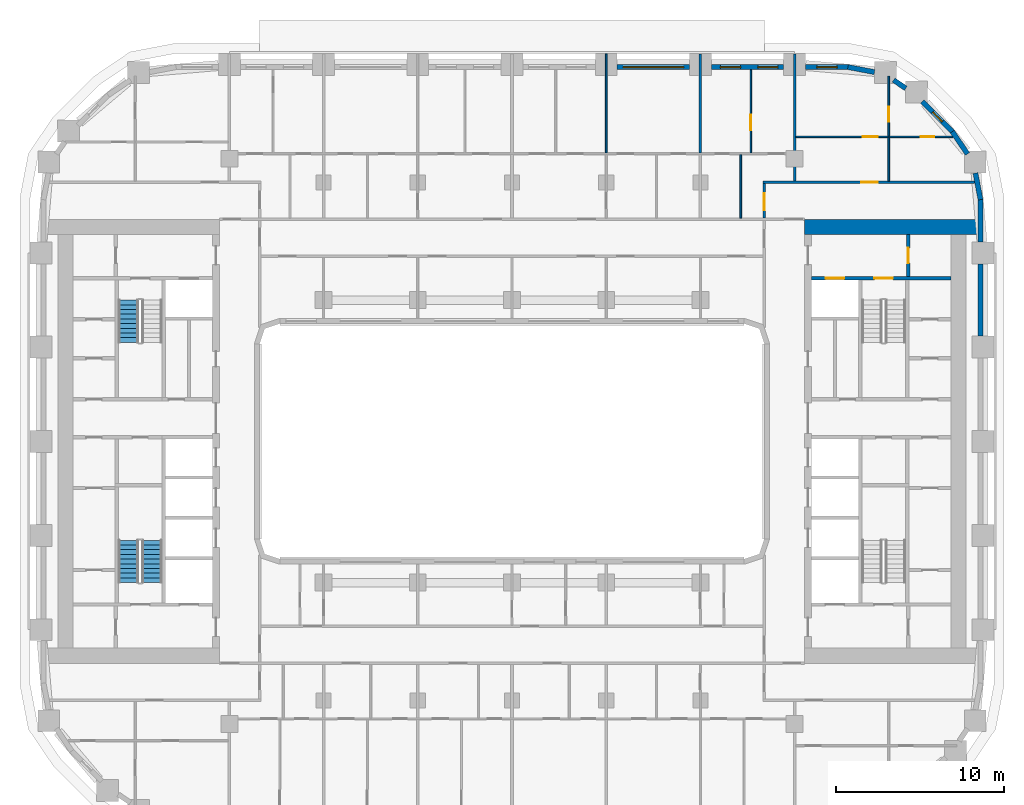
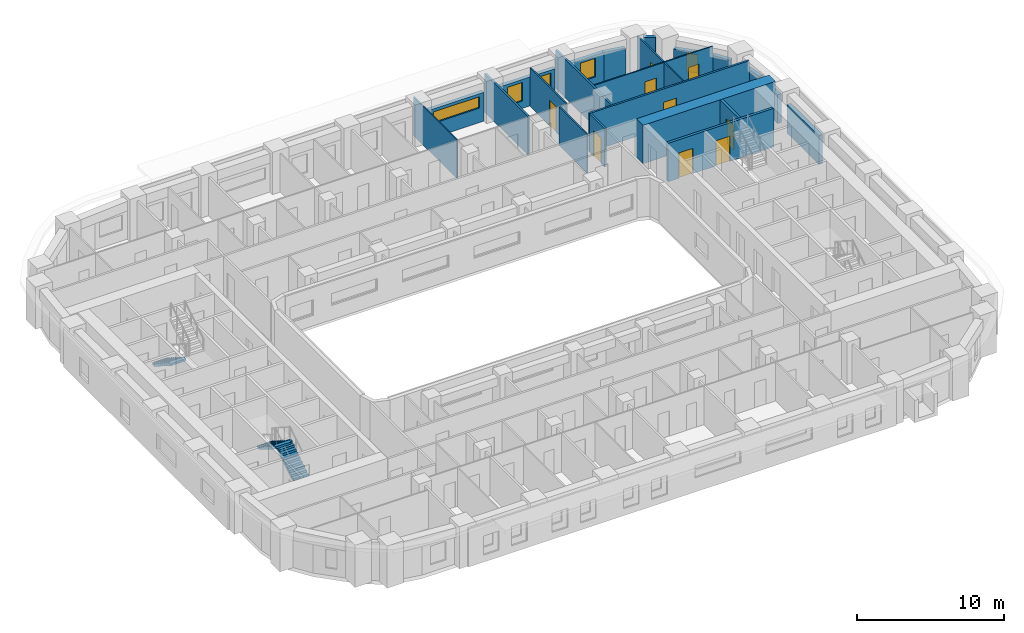
# One storey, part 10 of 23: 23 walls, 9 doors, 5 windows, 3 stair flights, 14 openings, 2 elements without a shape of their own.
"""IFC4 building model written with IfcOpenShell, lengths in metres."""

from ifc_helpers import new_model, si_unit, direction, frame, frame_2d, origin, place, context, subcontext, project, spatial, polyline, rectangle, outline, extrude, material, layer, layer_set, type_object, element, fill, aggregate, save


model = new_model("IFC4")

# Units and contexts
model_context = context("Model", 3, precision=1e-05, world=origin(), true_north=direction((0.0, 1.0)))
body_context = subcontext(model_context, "Body", "Model", "MODEL_VIEW")
ifc_project = project(units=[si_unit("LENGTHUNIT", "METRE"), si_unit("AREAUNIT", "SQUARE_METRE"), si_unit("VOLUMEUNIT", "CUBIC_METRE"), si_unit("PLANEANGLEUNIT", "RADIAN"), si_unit("MASSUNIT", "GRAM", prefix="KILO")], contexts=[model_context])

# Site, building, storey
site_placement = place(None, origin())
site = spatial("IfcSite", under=ifc_project, at=site_placement, CompositionType="ELEMENT")
building_placement = place(site_placement, origin())
building = spatial("IfcBuilding", under=site, at=building_placement, Name="Kiln Ring Residences", CompositionType="ELEMENT")
storey_placement = place(building_placement, frame((0.0, 0.0, 86.800048828125)))
storey = spatial("IfcBuildingStorey", under=building, at=storey_placement, Name="L21", CompositionType="ELEMENT", Elevation=86.800048828125)

# Wall, opening, door
ifc_material_1 = material(Name="Gypsum board on steel studs", Category="steel")
ifc_layer_1 = layer(ifc_material_1, 0.199951171875)
ifc_layer_set_1 = layer_set([ifc_layer_1], Name="CORE-PARTITION-200")
wall_type_1 = type_object("IfcWallType", Name="CORE-PARTITION-200", PredefinedType="PARTITIONING", material=ifc_layer_set_1)
wall_1_placement = place(storey_placement, frame((23.550048828125, 9.800048828125, 0.0), z_axis=(0.0, 0.0, 1.0), x_axis=(0.0, 1.0, 0.0)))
wall_1 = element("IfcWall", 1, at=wall_1_placement, inside=storey, type_object=wall_type_1, Name="Core partition east L21 4", PredefinedType="PARTITIONING", context=body_context, shape_type="SweptSolid", body=[
    extrude(rectangle(XDim=2.5, YDim=0.199951171875, at=frame_2d((1.25, 0.0))), origin(), (0.0, 0.0, 1.0), 3.199951171875),
])
opening_1_placement = place(wall_1_placement, frame((0.800048828125, 0.0, 0.0)))
opening_1 = element("IfcOpeningElement", 2, at=opening_1_placement, cuts=wall_1, Name="Opening L21-CE10", PredefinedType="OPENING", context=body_context, shape_type="SweptSolid", body=[
    extrude(rectangle(XDim=0.89990234375, YDim=2.10009765625, at=frame_2d((0.449951171875, 1.050048828125))), frame((0.0, 0.10986328125, 0.0), z_axis=(0.0, -1.0, 0.0), x_axis=(1.0, 0.0, 0.0)), (0.0, 0.0, 1.0), 0.219970703125),
])
ifc_material_2 = material(Name="Steel door leaf", Category="steel")
door_type_1 = type_object("IfcDoorType", Name="CORE-DOOR-ROOM", OperationType="SINGLE_SWING_LEFT", PredefinedType="DOOR", material=ifc_material_2)
door_1_placement = place(opening_1_placement, origin())
door_1 = element("IfcDoor", 3, at=door_1_placement, inside=storey, type_object=door_type_1, Name="Fire riser room L21-CE10", OperationType="SINGLE_SWING_LEFT", OverallHeight=2.10009765625, OverallWidth=0.89990234375, PredefinedType="DOOR", context=body_context, shape_type="SweptSolid", body=[
    extrude(rectangle(XDim=0.89990234375, YDim=2.10009765625, at=frame_2d((0.449951171875, 1.050048828125))), frame((0.0, 0.02490234375, 0.0), z_axis=(0.0, -1.0, 0.0), x_axis=(1.0, 0.0, 0.0)), (0.0, 0.0, 1.0), 0.050048828125),
])
fill(opening_1, door_1)

# Wall, openings, doors
ifc_material_3 = material(Name="Concrete C40/50", Category="concrete")
ifc_layer_2 = layer(ifc_material_3, 0.199951171875)
ifc_layer_set_2 = layer_set([ifc_layer_2], Name="CORE-WALL-RC200")
wall_type_2 = type_object("IfcWallType", Name="CORE-WALL-RC200", PredefinedType="SHEAR", material=ifc_layer_set_2)
wall_2_placement = place(storey_placement, frame((17.800048828125, 9.699951171875, 0.0), z_axis=(0.0, 0.0, 1.0), x_axis=(1.0, 0.0, 0.0)))
wall_2 = element("IfcWall", 4, at=wall_2_placement, inside=storey, type_object=wall_type_2, Name="Core wall east L21 9", PredefinedType="SHEAR", context=body_context, shape_type="SweptSolid", body=[
    extrude(rectangle(XDim=8.300048828125, YDim=0.199951171875, at=frame_2d((4.14990234375, 0.0))), origin(), (0.0, 0.0, 1.0), 3.199951171875),
])
opening_2_placement = place(wall_2_placement, frame((0.85009765625, 0.0, 0.0)))
opening_2 = element("IfcOpeningElement", 5, at=opening_2_placement, cuts=wall_2, Name="Opening L21-CE07", PredefinedType="OPENING", context=body_context, shape_type="SweptSolid", body=[
    extrude(rectangle(XDim=1.10009765625, YDim=2.10009765625, at=frame_2d((0.550048828125, 1.050048828125))), frame((0.0, 0.10986328125, 0.0), z_axis=(0.0, -1.0, 0.0), x_axis=(1.0, 0.0, 0.0)), (0.0, 0.0, 1.0), 0.219970703125),
])
opening_3_placement = place(wall_2_placement, frame((3.75, 0.0, 0.0)))
opening_3 = element("IfcOpeningElement", 6, at=opening_3_placement, cuts=wall_2, Name="Opening L21-CE12", PredefinedType="OPENING", context=body_context, shape_type="SweptSolid", body=[
    extrude(rectangle(XDim=1.10009765625, YDim=2.10009765625, at=frame_2d((0.550048828125, 1.050048828125))), frame((0.0, 0.10986328125, 0.0), z_axis=(0.0, -1.0, 0.0), x_axis=(1.0, 0.0, 0.0)), (0.0, 0.0, 1.0), 0.219970703125),
])
ifc_material_4 = material(Name="Steel door leaf", Category="steel")
door_type_2 = type_object("IfcDoorType", Name="CORE-DOOR-LD", OperationType="DOUBLE_DOOR_SLIDING", PredefinedType="DOOR", material=ifc_material_4)
door_2_placement = place(opening_2_placement, origin())
door_2 = element("IfcDoor", 7, at=door_2_placement, inside=storey, type_object=door_type_2, Name="LD E-FF L21-CE07", OperationType="DOUBLE_DOOR_SLIDING", OverallHeight=2.10009765625, OverallWidth=1.10009765625, PredefinedType="DOOR", context=body_context, shape_type="SweptSolid", body=[
    extrude(rectangle(XDim=1.10009765625, YDim=2.10009765625, at=frame_2d((0.550048828125, 1.050048828125))), frame((0.0, 0.02490234375, 0.0), z_axis=(0.0, -1.0, 0.0), x_axis=(1.0, 0.0, 0.0)), (0.0, 0.0, 1.0), 0.050048828125),
])
fill(opening_2, door_2)
ifc_material_5 = material(Name="Steel door leaf", Category="steel")
door_type_3 = type_object("IfcDoorType", Name="CORE-DOOR-STAIR", OperationType="SINGLE_SWING_LEFT", PredefinedType="DOOR", material=ifc_material_5)
door_3_placement = place(opening_3_placement, origin())
door_3 = element("IfcDoor", 8, at=door_3_placement, inside=storey, type_object=door_type_3, Name="Stair E-STN L21-CE12", OperationType="SINGLE_SWING_LEFT", OverallHeight=2.10009765625, OverallWidth=1.10009765625, PredefinedType="DOOR", context=body_context, shape_type="SweptSolid", body=[
    extrude(rectangle(XDim=1.10009765625, YDim=2.10009765625, at=frame_2d((0.550048828125, 1.050048828125))), frame((0.0, 0.02490234375, 0.0), z_axis=(0.0, -1.0, 0.0), x_axis=(1.0, 0.0, 0.0)), (0.0, 0.0, 1.0), 0.050048828125),
])
fill(opening_3, door_3)

# Walls
ifc_material_6 = material(Name="Concrete C60/75", Category="concrete")
ifc_layer_3 = layer(ifc_material_6, 0.89990234375)
ifc_layer_set_3 = layer_set([ifc_layer_3], Name="CORE-WALL-RC900")
wall_type_3 = type_object("IfcWallType", Name="CORE-WALL-RC900", PredefinedType="SHEAR", material=ifc_layer_set_3)
wall_3_placement = place(storey_placement, frame((17.39990234375, 12.75, 0.0), z_axis=(0.0, 0.0, 1.0), x_axis=(1.0, 0.0, 0.0)))
element("IfcWall", 9, at=wall_3_placement, inside=storey, type_object=wall_type_3, Name="Core wall east L21 4", PredefinedType="SHEAR", context=body_context, shape_type="SweptSolid", body=[
    extrude(rectangle(XDim=10.400146484375, YDim=0.89990234375, at=frame_2d((5.2001953125, 0.0))), origin(), (0.0, 0.0, 1.0), 3.199951171875),
])
ifc_material_7 = material(Name="Brick masonry, dark clay brick", Category="masonry")
ifc_layer_4 = layer(ifc_material_7, 0.300048828125)
ifc_layer_set_4 = layer_set([ifc_layer_4], Name="EW-300 BRICK WALL")
wall_type_4 = type_object("IfcWallType", Name="EW-300 BRICK WALL", PredefinedType="SOLIDWALL", material=ifc_layer_set_4)
wall_4_placement = place(storey_placement, frame((27.85009765625, 6.25, 0.0), z_axis=(0.0, 0.0, 1.0), x_axis=(0.0, 1.0, 0.0)))
element("IfcWall", 10, at=wall_4_placement, inside=storey, type_object=wall_type_4, Name="Facade wall L21 21", PredefinedType="SOLIDWALL", context=body_context, shape_type="SweptSolid", body=[
    extrude(rectangle(XDim=4.300048828125, YDim=0.300048828125, at=frame_2d((2.14990234375, 0.0))), origin(), (0.0, 0.0, 1.0), 2.39990234375),
])
wall_5_placement = place(storey_placement, frame((27.85009765625, 11.85009765625, 0.0), z_axis=(0.0, 0.0, 1.0), x_axis=(0.0, 1.0, 0.0)))
element("IfcWall", 11, at=wall_5_placement, inside=storey, type_object=wall_type_4, Name="Facade wall L21 22", PredefinedType="SOLIDWALL", context=body_context, shape_type="SweptSolid", body=[
    extrude(rectangle(XDim=2.5498046875, YDim=0.300048828125, at=frame_2d((1.27490234375, 0.0))), origin(), (0.0, 0.0, 1.0), 2.39990234375),
])
for number, where, z_axis, x_axis, name in (
    (12, (27.8525390625, 14.371826171875, 0.0), (0.0, 0.0, 1.0), (-0.187279751651, 0.982306619453, 0.0), "Facade wall L21 23"),
    (13, (27.08154296875, 17.08447265625, 0.0), (0.0, 0.0, 1.0), (-0.562010605531, 0.827130025613, 0.0), "Facade wall L21 24"),
):
    element("IfcWall", number, at=place(storey_placement, frame(where, z_axis=z_axis, x_axis=x_axis)), inside=storey, type_object=wall_type_4, Name=name, PredefinedType="SOLIDWALL", context=body_context, shape_type="SweptSolid", body=[
        extrude(rectangle(XDim=1.60595703125, YDim=0.300048828125, at=frame_2d((0.802978515625, 0.0))), origin(), (0.0, 0.0, 1.0), 2.39990234375),
    ])

# Wall, opening, window
wall_6_placement = place(storey_placement, frame((26.19677734375, 18.390869140625, 0.0), z_axis=(0.0, 0.0, 1.0), x_axis=(-0.707058908279, 0.707154650853, 0.0)))
wall_6 = element("IfcWall", 14, at=wall_6_placement, inside=storey, type_object=wall_type_4, Name="Facade wall L21 25", PredefinedType="SOLIDWALL", context=body_context, shape_type="SweptSolid", body=[
    extrude(rectangle(XDim=2.550048828125, YDim=0.300048828125, at=frame_2d((1.27490234375, 0.0))), origin(), (0.0, 0.0, 1.0), 2.39990234375),
])
opening_4_placement = place(wall_6_placement, frame((0.875, 0.0, 0.60009765625)))
opening_4 = element("IfcOpeningElement", 15, at=opening_4_placement, cuts=wall_6, Name="Opening W5", PredefinedType="OPENING", context=body_context, shape_type="SweptSolid", body=[
    extrude(rectangle(XDim=0.800048828125, YDim=1.550048828125, at=frame_2d((0.39990234375, 0.77490234375))), frame((0.0, 0.159912109375, 0.0), z_axis=(0.0, -1.0, 0.0), x_axis=(1.0, 0.0, 0.0)), (0.0, 0.0, 1.0), 0.320068359375),
])
ifc_material_8 = material(Name="Aluminium frame with double glazing", Category="aluminium")
window_type_1 = type_object("IfcWindowType", Name="WINDOW 800 x 1550", PartitioningType="SINGLE_PANEL", PredefinedType="WINDOW", material=ifc_material_8)
window_1_placement = place(opening_4_placement, origin())
window_1 = element("IfcWindow", 16, at=window_1_placement, inside=storey, type_object=window_type_1, Name="Window L21 15", OverallHeight=1.550048828125, OverallWidth=0.800048828125, PartitioningType="SINGLE_PANEL", PredefinedType="WINDOW", context=body_context, shape_type="SweptSolid", body=[
    extrude(rectangle(XDim=0.800048828125, YDim=1.550048828125, at=frame_2d((0.39990234375, 0.77490234375))), frame((0.0, 0.030029296875, 0.0), z_axis=(0.0, -1.0, 0.0), x_axis=(1.0, 0.0, 0.0)), (0.0, 0.0, 1.0), 0.06005859375),
])
fill(opening_4, window_1)

# Walls
wall_7_placement = place(storey_placement, frame((23.409912109375, 20.988525390625, 0.0), z_axis=(0.0, 0.0, 1.0), x_axis=(-0.827050703543, 0.562127328787, 0.0)))
element("IfcWall", 17, at=wall_7_placement, inside=storey, type_object=wall_type_4, Name="Facade wall L21 26", PredefinedType="SOLIDWALL", context=body_context, shape_type="SweptSolid", body=[
    extrude(rectangle(XDim=0.877197265625, YDim=0.300048828125, at=frame_2d((0.4384765625, 0.0))), origin(), (0.0, 0.0, 1.0), 3.199951171875),
])
wall_8_placement = place(storey_placement, frame((21.549560546875, 21.95166015625, 0.0), z_axis=(0.0, 0.0, 1.0), x_axis=(-0.982278644094, 0.187426426519, 0.0)))
element("IfcWall", 18, at=wall_8_placement, inside=storey, type_object=wall_type_4, Name="Facade wall L21 27", PredefinedType="SOLIDWALL", context=body_context, shape_type="SweptSolid", body=[
    extrude(rectangle(XDim=1.606201171875, YDim=0.300048828125, at=frame_2d((0.80322265625, 0.0))), origin(), (0.0, 0.0, 1.0), 2.39990234375),
])

# Wall, opening, window
wall_9_placement = place(storey_placement, frame((20.0, 22.25, 0.0), z_axis=(0.0, 0.0, 1.0), x_axis=(-1.0, 0.0, 0.0)))
wall_9 = element("IfcWall", 19, at=wall_9_placement, inside=storey, type_object=wall_type_4, Name="Facade wall L21 28", PredefinedType="SOLIDWALL", context=body_context, shape_type="SweptSolid", body=[
    extrude(rectangle(XDim=2.550048828125, YDim=0.300048828125, at=frame_2d((1.27490234375, 0.0))), origin(), (0.0, 0.0, 1.0), 2.39990234375),
])
opening_5_placement = place(wall_9_placement, frame((0.675048828125, 0.0, 0.60009765625)))
opening_5 = element("IfcOpeningElement", 20, at=opening_5_placement, cuts=wall_9, Name="Opening W1", PredefinedType="OPENING", context=body_context, shape_type="SweptSolid", body=[
    extrude(rectangle(XDim=1.199951171875, YDim=1.550048828125, at=frame_2d((0.60009765625, 0.77490234375))), frame((0.0, 0.159912109375, 0.0), z_axis=(0.0, -1.0, 0.0), x_axis=(1.0, 0.0, 0.0)), (0.0, 0.0, 1.0), 0.320068359375),
])
ifc_material_9 = material(Name="Aluminium frame with double glazing", Category="aluminium")
window_type_2 = type_object("IfcWindowType", Name="WINDOW 1200 x 1550", PartitioningType="SINGLE_PANEL", PredefinedType="WINDOW", material=ifc_material_9)
window_2_placement = place(opening_5_placement, origin())
window_2 = element("IfcWindow", 21, at=window_2_placement, inside=storey, type_object=window_type_2, Name="Window L21 16", OverallHeight=1.550048828125, OverallWidth=1.199951171875, PartitioningType="SINGLE_PANEL", PredefinedType="WINDOW", context=body_context, shape_type="SweptSolid", body=[
    extrude(rectangle(XDim=1.199951171875, YDim=1.550048828125, at=frame_2d((0.60009765625, 0.77490234375))), frame((0.0, 0.030029296875, 0.0), z_axis=(0.0, -1.0, 0.0), x_axis=(1.0, 0.0, 0.0)), (0.0, 0.0, 1.0), 0.06005859375),
])
fill(opening_5, window_2)

# Wall, openings, windows
wall_10_placement = place(storey_placement, frame((16.14990234375, 22.25, 0.0), z_axis=(0.0, 0.0, 1.0), x_axis=(-1.0, 0.0, 0.0)))
wall_10 = element("IfcWall", 22, at=wall_10_placement, inside=storey, type_object=wall_type_4, Name="Facade wall L21 29", PredefinedType="SOLIDWALL", context=body_context, shape_type="SweptSolid", body=[
    extrude(rectangle(XDim=4.2998046875, YDim=0.300048828125, at=frame_2d((2.14990234375, 0.0))), origin(), (0.0, 0.0, 1.0), 2.39990234375),
])
opening_6_placement = place(wall_10_placement, frame((0.33740234375, 0.0, 0.60009765625)))
opening_6 = element("IfcOpeningElement", 23, at=opening_6_placement, cuts=wall_10, Name="Opening W1", PredefinedType="OPENING", context=body_context, shape_type="SweptSolid", body=[
    extrude(rectangle(XDim=1.199951171875, YDim=1.550048828125, at=frame_2d((0.60009765625, 0.77490234375))), frame((0.0, 0.159912109375, 0.0), z_axis=(0.0, -1.0, 0.0), x_axis=(1.0, 0.0, 0.0)), (0.0, 0.0, 1.0), 0.320068359375),
])
opening_7_placement = place(wall_10_placement, frame((2.5625, 0.0, 0.60009765625)))
opening_7 = element("IfcOpeningElement", 24, at=opening_7_placement, cuts=wall_10, Name="Opening W1", PredefinedType="OPENING", context=body_context, shape_type="SweptSolid", body=[
    extrude(rectangle(XDim=1.199951171875, YDim=1.550048828125, at=frame_2d((0.60009765625, 0.77490234375))), frame((0.0, 0.159912109375, 0.0), z_axis=(0.0, -1.0, 0.0), x_axis=(1.0, 0.0, 0.0)), (0.0, 0.0, 1.0), 0.320068359375),
])
window_3_placement = place(opening_6_placement, origin())
window_3 = element("IfcWindow", 25, at=window_3_placement, inside=storey, type_object=window_type_2, Name="Window L21 17", OverallHeight=1.550048828125, OverallWidth=1.199951171875, PartitioningType="SINGLE_PANEL", PredefinedType="WINDOW", context=body_context, shape_type="SweptSolid", body=[
    extrude(rectangle(XDim=1.199951171875, YDim=1.550048828125, at=frame_2d((0.60009765625, 0.77490234375))), frame((0.0, 0.030029296875, 0.0), z_axis=(0.0, -1.0, 0.0), x_axis=(1.0, 0.0, 0.0)), (0.0, 0.0, 1.0), 0.06005859375),
])
fill(opening_6, window_3)
window_4_placement = place(opening_7_placement, origin())
window_4 = element("IfcWindow", 26, at=window_4_placement, inside=storey, type_object=window_type_2, Name="Window L21 18", OverallHeight=1.550048828125, OverallWidth=1.199951171875, PartitioningType="SINGLE_PANEL", PredefinedType="WINDOW", context=body_context, shape_type="SweptSolid", body=[
    extrude(rectangle(XDim=1.199951171875, YDim=1.550048828125, at=frame_2d((0.60009765625, 0.77490234375))), frame((0.0, 0.030029296875, 0.0), z_axis=(0.0, -1.0, 0.0), x_axis=(1.0, 0.0, 0.0)), (0.0, 0.0, 1.0), 0.06005859375),
])
fill(opening_7, window_4)

# Wall, opening, window
wall_11_placement = place(storey_placement, frame((10.550048828125, 22.25, 0.0), z_axis=(0.0, 0.0, 1.0), x_axis=(-1.0, 0.0, 0.0)))
wall_11 = element("IfcWall", 27, at=wall_11_placement, inside=storey, type_object=wall_type_4, Name="Facade wall L21 30", PredefinedType="SOLIDWALL", context=body_context, shape_type="SweptSolid", body=[
    extrude(rectangle(XDim=4.300048828125, YDim=0.300048828125, at=frame_2d((2.14990234375, 0.0))), origin(), (0.0, 0.0, 1.0), 2.39990234375),
])
opening_8_placement = place(wall_11_placement, frame((0.35009765625, 0.0, 1.199951171875)))
opening_8 = element("IfcOpeningElement", 28, at=opening_8_placement, cuts=wall_11, Name="Opening W4", PredefinedType="OPENING", context=body_context, shape_type="SweptSolid", body=[
    extrude(rectangle(XDim=3.60009765625, YDim=0.949951171875, at=frame_2d((1.800048828125, 0.47509765625))), frame((0.0, 0.159912109375, 0.0), z_axis=(0.0, -1.0, 0.0), x_axis=(1.0, 0.0, 0.0)), (0.0, 0.0, 1.0), 0.320068359375),
])
ifc_material_10 = material(Name="Aluminium frame with double glazing", Category="aluminium")
window_type_3 = type_object("IfcWindowType", Name="WINDOW 3600 x 950", PartitioningType="SINGLE_PANEL", PredefinedType="WINDOW", material=ifc_material_10)
window_5_placement = place(opening_8_placement, origin())
window_5 = element("IfcWindow", 29, at=window_5_placement, inside=storey, type_object=window_type_3, Name="Window L21 19", OverallHeight=0.949951171875, OverallWidth=3.60009765625, PartitioningType="SINGLE_PANEL", PredefinedType="WINDOW", context=body_context, shape_type="SweptSolid", body=[
    extrude(rectangle(XDim=3.60009765625, YDim=0.949951171875, at=frame_2d((1.800048828125, 0.47509765625))), frame((0.0, 0.030029296875, 0.0), z_axis=(0.0, -1.0, 0.0), x_axis=(1.0, 0.0, 0.0)), (0.0, 0.0, 1.0), 0.06005859375),
])
fill(opening_8, window_5)

# Wall, openings, doors
ifc_material_11 = material(Name="Gypsum board on steel studs", Category="steel")
ifc_layer_5 = layer(ifc_material_11, 0.10009765625)
ifc_layer_set_5 = layer_set([ifc_layer_5], Name="PARTITION-100")
wall_type_5 = type_object("IfcWallType", Name="PARTITION-100", PredefinedType="PARTITIONING", material=ifc_layer_set_5)
wall_12_placement = place(storey_placement, frame((16.875, 18.10009765625, 0.0), z_axis=(0.0, 0.0, 1.0), x_axis=(1.0, 0.0, 0.0)))
wall_12 = element("IfcWall", 30, at=wall_12_placement, inside=storey, type_object=wall_type_5, Name="Partition 013", PredefinedType="PARTITIONING", context=body_context, shape_type="SweptSolid", body=[
    extrude(rectangle(XDim=9.315185546875, YDim=0.10009765625, at=frame_2d((4.65771484375, 0.0))), origin(), (0.0, 0.0, 1.0), 3.199951171875),
])
opening_9_placement = place(wall_12_placement, frame((7.425048828125, 0.0, 0.0)))
opening_9 = element("IfcOpeningElement", 31, at=opening_9_placement, cuts=wall_12, Name="Opening L21-D036", PredefinedType="OPENING", context=body_context, shape_type="SweptSolid", body=[
    extrude(rectangle(XDim=0.800048828125, YDim=2.10009765625, at=frame_2d((0.39990234375, 1.050048828125))), frame((0.0, 0.06005859375, 0.0), z_axis=(0.0, -1.0, 0.0), x_axis=(1.0, 0.0, 0.0)), (0.0, 0.0, 1.0), 0.1201171875),
])
opening_10_placement = place(wall_12_placement, frame((3.97509765625, 0.0, 0.0)))
opening_10 = element("IfcOpeningElement", 32, at=opening_10_placement, cuts=wall_12, Name="Opening L21-D037", PredefinedType="OPENING", context=body_context, shape_type="SweptSolid", body=[
    extrude(rectangle(XDim=0.89990234375, YDim=2.10009765625, at=frame_2d((0.449951171875, 1.050048828125))), frame((0.0, 0.06005859375, 0.0), z_axis=(0.0, -1.0, 0.0), x_axis=(1.0, 0.0, 0.0)), (0.0, 0.0, 1.0), 0.1201171875),
])
ifc_material_12 = material(Name="Timber door leaf", Category="wood")
door_type_4 = type_object("IfcDoorType", Name="FLAT-DOOR-800-PL", OperationType="SINGLE_SWING_LEFT", PredefinedType="DOOR", material=ifc_material_12)
door_4_placement = place(opening_9_placement, origin())
door_4 = element("IfcDoor", 33, at=door_4_placement, inside=storey, type_object=door_type_4, Name="Door L21-D036", OperationType="SINGLE_SWING_RIGHT", OverallHeight=2.10009765625, OverallWidth=0.800048828125, PredefinedType="DOOR", context=body_context, shape_type="SweptSolid", body=[
    extrude(rectangle(XDim=0.800048828125, YDim=2.10009765625, at=frame_2d((0.39990234375, 1.050048828125))), frame((0.0, 0.02490234375, 0.0), z_axis=(0.0, -1.0, 0.0), x_axis=(1.0, 0.0, 0.0)), (0.0, 0.0, 1.0), 0.050048828125),
])
fill(opening_9, door_4)
ifc_material_13 = material(Name="Timber door leaf", Category="wood")
door_type_5 = type_object("IfcDoorType", Name="FLAT-DOOR-900-PL", OperationType="SINGLE_SWING_LEFT", PredefinedType="DOOR", material=ifc_material_13)
door_5_placement = place(opening_10_placement, origin())
door_5 = element("IfcDoor", 34, at=door_5_placement, inside=storey, type_object=door_type_5, Name="Door L21-D037", OperationType="SINGLE_SWING_LEFT", OverallHeight=2.10009765625, OverallWidth=0.89990234375, PredefinedType="DOOR", context=body_context, shape_type="SweptSolid", body=[
    extrude(rectangle(XDim=0.89990234375, YDim=2.10009765625, at=frame_2d((0.449951171875, 1.050048828125))), frame((0.0, 0.02490234375, 0.0), z_axis=(0.0, -1.0, 0.0), x_axis=(1.0, 0.0, 0.0)), (0.0, 0.0, 1.0), 0.050048828125),
])
fill(opening_10, door_5)

# Walls
wall_13_placement = place(storey_placement, frame((5.60009765625, 17.14990234375, 0.0), z_axis=(0.0, 0.0, 1.0), x_axis=(0.0, 1.0, 0.0)))
element("IfcWall", 35, at=wall_13_placement, inside=storey, type_object=wall_type_5, Name="Partition 058", PredefinedType="PARTITIONING", context=body_context, shape_type="SweptSolid", body=[
    extrude(rectangle(XDim=5.880126953125, YDim=0.10009765625, at=frame_2d((2.93994140625, 0.0))), origin(), (0.0, 0.0, 1.0), 3.199951171875),
])
wall_14_placement = place(storey_placement, frame((13.60009765625, 13.27490234375, 0.0), z_axis=(0.0, 0.0, 1.0), x_axis=(0.0, 1.0, 0.0)))
element("IfcWall", 36, at=wall_14_placement, inside=storey, type_object=wall_type_5, Name="Partition 071", PredefinedType="PARTITIONING", context=body_context, shape_type="SweptSolid", body=[
    extrude(rectangle(XDim=3.775146484375, YDim=0.10009765625, at=frame_2d((1.8876953125, 0.0))), origin(), (0.0, 0.0, 1.0), 3.199951171875),
])

# Wall, opening, door
wall_15_placement = place(storey_placement, frame((14.199951171875, 17.14990234375, 0.0), z_axis=(0.0, 0.0, 1.0), x_axis=(0.0, 1.0, 0.0)))
wall_15 = element("IfcWall", 37, at=wall_15_placement, inside=storey, type_object=wall_type_5, Name="Partition 073", PredefinedType="PARTITIONING", context=body_context, shape_type="SweptSolid", body=[
    extrude(rectangle(XDim=4.93017578125, YDim=0.10009765625, at=frame_2d((2.465087890625, 0.0))), origin(), (0.0, 0.0, 1.0), 3.199951171875),
])
opening_11_placement = place(wall_15_placement, frame((1.360107421875, 0.0, 0.0)))
opening_11 = element("IfcOpeningElement", 38, at=opening_11_placement, cuts=wall_15, Name="Opening L21-D034", PredefinedType="OPENING", context=body_context, shape_type="SweptSolid", body=[
    extrude(rectangle(XDim=0.89990234375, YDim=2.10009765625, at=frame_2d((0.449951171875, 1.050048828125))), frame((0.0, 0.06005859375, 0.0), z_axis=(0.0, -1.0, 0.0), x_axis=(1.0, 0.0, 0.0)), (0.0, 0.0, 1.0), 0.1201171875),
])
door_6_placement = place(opening_11_placement, origin())
door_6 = element("IfcDoor", 39, at=door_6_placement, inside=storey, type_object=door_type_5, Name="Door L21-D034", OperationType="SINGLE_SWING_RIGHT", OverallHeight=2.10009765625, OverallWidth=0.89990234375, PredefinedType="DOOR", context=body_context, shape_type="SweptSolid", body=[
    extrude(rectangle(XDim=0.89990234375, YDim=2.10009765625, at=frame_2d((0.449951171875, 1.050048828125))), frame((0.0, 0.02490234375, 0.0), z_axis=(0.0, -1.0, 0.0), x_axis=(1.0, 0.0, 0.0)), (0.0, 0.0, 1.0), 0.050048828125),
])
fill(opening_11, door_6)

# Wall
wall_16_placement = place(storey_placement, frame((22.39990234375, 15.47509765625, 0.0), z_axis=(0.0, 0.0, 1.0), x_axis=(0.0, 1.0, 0.0)))
element("IfcWall", 40, at=wall_16_placement, inside=storey, type_object=wall_type_5, Name="Partition 082", PredefinedType="PARTITIONING", context=body_context, shape_type="SweptSolid", body=[
    extrude(rectangle(XDim=2.574951171875, YDim=0.10009765625, at=frame_2d((1.28759765625, 0.0))), origin(), (0.0, 0.0, 1.0), 3.199951171875),
])

# Wall, opening, door
wall_17_placement = place(storey_placement, frame((22.39990234375, 18.14990234375, 0.0), z_axis=(0.0, 0.0, 1.0), x_axis=(0.0, 1.0, 0.0)))
wall_17 = element("IfcWall", 41, at=wall_17_placement, inside=storey, type_object=wall_type_5, Name="Partition 083", PredefinedType="PARTITIONING", context=body_context, shape_type="SweptSolid", body=[
    extrude(rectangle(XDim=3.570068359375, YDim=0.10009765625, at=frame_2d((1.78515625, 0.0))), origin(), (0.0, 0.0, 1.0), 3.199951171875),
])
opening_12_placement = place(wall_17_placement, frame((0.85009765625, 0.0, 0.0)))
opening_12 = element("IfcOpeningElement", 42, at=opening_12_placement, cuts=wall_17, Name="Opening L21-D038", PredefinedType="OPENING", context=body_context, shape_type="SweptSolid", body=[
    extrude(rectangle(XDim=0.89990234375, YDim=2.10009765625, at=frame_2d((0.449951171875, 1.050048828125))), frame((0.0, 0.06005859375, 0.0), z_axis=(0.0, -1.0, 0.0), x_axis=(1.0, 0.0, 0.0)), (0.0, 0.0, 1.0), 0.1201171875),
])
door_7_placement = place(opening_12_placement, origin())
door_7 = element("IfcDoor", 43, at=door_7_placement, inside=storey, type_object=door_type_5, Name="Door L21-D038", OperationType="SINGLE_SWING_LEFT", OverallHeight=2.10009765625, OverallWidth=0.89990234375, PredefinedType="DOOR", context=body_context, shape_type="SweptSolid", body=[
    extrude(rectangle(XDim=0.89990234375, YDim=2.10009765625, at=frame_2d((0.449951171875, 1.050048828125))), frame((0.0, 0.02490234375, 0.0), z_axis=(0.0, -1.0, 0.0), x_axis=(1.0, 0.0, 0.0)), (0.0, 0.0, 1.0), 0.050048828125),
])
fill(opening_12, door_7)

ifc_material_14 = material(Name="Brick masonry partition", Category="masonry")
ifc_layer_6 = layer(ifc_material_14, 0.14990234375)
ifc_layer_set_6 = layer_set([ifc_layer_6], Name="PARTITION-150-ei60")
wall_type_6 = type_object("IfcWallType", Name="PARTITION-150-ei60", PredefinedType="PARTITIONING", material=ifc_layer_set_6)
wall_18_placement = place(storey_placement, frame((14.925048828125, 15.39990234375, 0.0), z_axis=(0.0, 0.0, 1.0), x_axis=(1.0, 0.0, 0.0)))
wall_18 = element("IfcWall", 44, at=wall_18_placement, inside=storey, type_object=wall_type_6, Name="Partition 010", PredefinedType="PARTITIONING", context=body_context, shape_type="SweptSolid", body=[
    extrude(rectangle(XDim=12.558837890625, YDim=0.14990234375, at=frame_2d((6.279296875, 0.0))), origin(), (0.0, 0.0, 1.0), 3.199951171875),
])
opening_13_placement = place(wall_18_placement, frame((5.824951171875, 0.0, 0.0)))
opening_13 = element("IfcOpeningElement", 45, at=opening_13_placement, cuts=wall_18, Name="Opening L21-D035", PredefinedType="OPENING", context=body_context, shape_type="SweptSolid", body=[
    extrude(rectangle(XDim=1.0, YDim=2.10009765625, at=frame_2d((0.5, 1.050048828125))), frame((0.0, 0.0849609375, 0.0), z_axis=(0.0, -1.0, 0.0), x_axis=(1.0, 0.0, 0.0)), (0.0, 0.0, 1.0), 0.169921875),
])
ifc_material_15 = material(Name="Steel faced fire door leaf", Category="steel")
door_type_6 = type_object("IfcDoorType", Name="FLAT-DOOR-1000-FR", OperationType="SINGLE_SWING_LEFT", PredefinedType="DOOR", material=ifc_material_15)
door_8_placement = place(opening_13_placement, origin())
door_8 = element("IfcDoor", 46, at=door_8_placement, inside=storey, type_object=door_type_6, Name="Door L21-D035", OperationType="SINGLE_SWING_LEFT", OverallHeight=2.10009765625, OverallWidth=1.0, PredefinedType="DOOR", context=body_context, shape_type="SweptSolid", body=[
    extrude(rectangle(XDim=1.0, YDim=2.10009765625, at=frame_2d((0.5, 1.050048828125))), frame((0.0, 0.02490234375, 0.0), z_axis=(0.0, -1.0, 0.0), x_axis=(1.0, 0.0, 0.0)), (0.0, 0.0, 1.0), 0.050048828125),
])
fill(opening_13, door_8)

# Wall
wall_19_placement = place(storey_placement, frame((11.199951171875, 17.14990234375, 0.0), z_axis=(0.0, 0.0, 1.0), x_axis=(0.0, 1.0, 0.0)))
element("IfcWall", 47, at=wall_19_placement, inside=storey, type_object=wall_type_6, Name="Partition 069", PredefinedType="PARTITIONING", context=body_context, shape_type="SweptSolid", body=[
    extrude(rectangle(XDim=5.880126953125, YDim=0.14990234375, at=frame_2d((2.93994140625, 0.0))), origin(), (0.0, 0.0, 1.0), 3.199951171875),
])

# Wall, opening, door
wall_20_placement = place(storey_placement, frame((15.0, 13.27490234375, 0.0), z_axis=(0.0, 0.0, 1.0), x_axis=(0.0, 1.0, 0.0)))
wall_20 = element("IfcWall", 48, at=wall_20_placement, inside=storey, type_object=wall_type_6, Name="Partition 077", PredefinedType="PARTITIONING", context=body_context, shape_type="SweptSolid", body=[
    extrude(rectangle(XDim=2.050048828125, YDim=0.14990234375, at=frame_2d((1.02490234375, 0.0))), origin(), (0.0, 0.0, 1.0), 3.199951171875),
])
opening_14_placement = place(wall_20_placement, frame((0.47607421875, 0.0, 0.0)))
opening_14 = element("IfcOpeningElement", 49, at=opening_14_placement, cuts=wall_20, Name="Opening L21-D031", PredefinedType="OPENING", context=body_context, shape_type="SweptSolid", body=[
    extrude(rectangle(XDim=1.0, YDim=2.10009765625, at=frame_2d((0.5, 1.050048828125))), frame((0.0, 0.0849609375, 0.0), z_axis=(0.0, -1.0, 0.0), x_axis=(1.0, 0.0, 0.0)), (0.0, 0.0, 1.0), 0.169921875),
])
door_9_placement = place(opening_14_placement, origin())
door_9 = element("IfcDoor", 50, at=door_9_placement, inside=storey, type_object=door_type_6, Name="Door L21-D031", OperationType="SINGLE_SWING_LEFT", OverallHeight=2.10009765625, OverallWidth=1.0, PredefinedType="DOOR", context=body_context, shape_type="SweptSolid", body=[
    extrude(rectangle(XDim=1.0, YDim=2.10009765625, at=frame_2d((0.5, 1.050048828125))), frame((0.0, 0.02490234375, 0.0), z_axis=(0.0, -1.0, 0.0), x_axis=(1.0, 0.0, 0.0)), (0.0, 0.0, 1.0), 0.050048828125),
])
fill(opening_14, door_9)

# Wall
wall_21_placement = place(storey_placement, frame((16.800048828125, 15.47509765625, 0.0), z_axis=(0.0, 0.0, 1.0), x_axis=(0.0, 1.0, 0.0)))
element("IfcWall", 51, at=wall_21_placement, inside=storey, type_object=wall_type_6, Name="Partition 079", PredefinedType="PARTITIONING", context=body_context, shape_type="SweptSolid", body=[
    extrude(rectangle(XDim=7.554931640625, YDim=0.14990234375, at=frame_2d((3.77734375, 0.0))), origin(), (0.0, 0.0, 1.0), 3.199951171875),
])

# Stair, stair flight
ifc_material_16 = material(Name="Concrete C40/50", Category="concrete")
stair_type = type_object("IfcStairType", Name="CORE-STAIR", PredefinedType="HALF_TURN_STAIR", material=ifc_material_16)
placement = place(storey_placement, origin())
stair_1 = element("IfcStair", 52, at=placement, inside=storey, type_object=stair_type, Name="L21 stair W-STN", PredefinedType="HALF_TURN_STAIR")
ifc_material_17 = material(Name="Concrete C40/50", Category="concrete")
stair_flight_type = type_object("IfcStairFlightType", Name="CORE-STAIR-FLIGHT", PredefinedType="STRAIGHT", material=ifc_material_17)
stair_flight_1_placement = place(storey_placement, frame((-22.800048828125, 8.39990234375, 0.0), z_axis=(0.0, 0.0, 1.0), x_axis=(0.0, -1.0, 0.0)))
stair_flight_1 = element("IfcStairFlight", 53, at=stair_flight_1_placement, type_object=stair_flight_type, Name="W-STN flight 1", NumberOfRisers=10, NumberOfTreads=9, PredefinedType="STRAIGHT", RiserHeight=0.175, TreadLength=0.28, context=body_context, shape_type="SweptSolid", body=[
    extrude(outline(polyline([(0.0, 0.0), (0.0, 0.175048828125), (0.280029296875, 0.175048828125), (0.280029296875, 0.35009765625), (0.56005859375, 0.35009765625), (0.56005859375, 0.52490234375), (0.840087890625, 0.52490234375), (0.840087890625, 0.699951171875), (1.1201171875, 0.699951171875), (1.1201171875, 0.875), (1.39990234375, 0.875), (1.39990234375, 1.050048828125), (1.679931640625, 1.050048828125), (1.679931640625, 1.22509765625), (1.9599609375, 1.22509765625), (1.9599609375, 1.39990234375), (2.239990234375, 1.39990234375), (2.239990234375, 1.574951171875), (2.52001953125, 1.574951171875), (2.52001953125, 1.75), (2.52001953125, 1.398193359375), (0.28271484375, 0.0), (0.0, 0.0)])), frame((0.0, 0.60009765625, 0.0), z_axis=(0.0, -1.0, 0.0), x_axis=(1.0, 0.0, 0.0)), (0.0, 0.0, 1.0), 1.199951171875),
])
aggregate(stair_1, [stair_flight_1])

# Stair, stair flights
stair_2 = element("IfcStair", 54, at=placement, inside=storey, type_object=stair_type, Name="L21 stair W-STS", PredefinedType="HALF_TURN_STAIR")
stair_flight_2_placement = place(storey_placement, frame((-21.39990234375, -8.39990234375, 0.0), z_axis=(0.0, 0.0, 1.0), x_axis=(0.0, 1.0, 0.0)))
stair_flight_2 = element("IfcStairFlight", 55, at=stair_flight_2_placement, type_object=stair_flight_type, Name="W-STS flight 1", NumberOfRisers=10, NumberOfTreads=9, PredefinedType="STRAIGHT", RiserHeight=0.175, TreadLength=0.28, context=body_context, shape_type="SweptSolid", body=[
    extrude(outline(polyline([(0.0, 0.0), (0.0, 0.175048828125), (0.280029296875, 0.175048828125), (0.280029296875, 0.35009765625), (0.56005859375, 0.35009765625), (0.56005859375, 0.52490234375), (0.840087890625, 0.52490234375), (0.840087890625, 0.699951171875), (1.1201171875, 0.699951171875), (1.1201171875, 0.875), (1.39990234375, 0.875), (1.39990234375, 1.050048828125), (1.679931640625, 1.050048828125), (1.679931640625, 1.22509765625), (1.9599609375, 1.22509765625), (1.9599609375, 1.39990234375), (2.239990234375, 1.39990234375), (2.239990234375, 1.574951171875), (2.52001953125, 1.574951171875), (2.52001953125, 1.75), (2.52001953125, 1.398193359375), (0.28271484375, 0.0), (0.0, 0.0)])), frame((0.0, 0.60009765625, 0.0), z_axis=(0.0, -1.0, 0.0), x_axis=(1.0, 0.0, 0.0)), (0.0, 0.0, 1.0), 1.199951171875),
])
stair_flight_3_placement = place(storey_placement, frame((-22.800048828125, -5.8798828125, 1.75), z_axis=(0.0, 0.0, 1.0), x_axis=(0.0, -1.0, 0.0)))
stair_flight_3 = element("IfcStairFlight", 56, at=stair_flight_3_placement, type_object=stair_flight_type, Name="W-STS flight 2", NumberOfRisers=10, NumberOfTreads=9, PredefinedType="STRAIGHT", RiserHeight=0.175, TreadLength=0.28, context=body_context, shape_type="SweptSolid", body=[
    extrude(outline(polyline([(0.0, 0.0), (0.0, 0.175048828125), (0.280029296875, 0.175048828125), (0.280029296875, 0.35009765625), (0.56005859375, 0.35009765625), (0.56005859375, 0.52490234375), (0.840087890625, 0.52490234375), (0.840087890625, 0.699951171875), (1.1201171875, 0.699951171875), (1.1201171875, 0.875), (1.39990234375, 0.875), (1.39990234375, 1.050048828125), (1.679931640625, 1.050048828125), (1.679931640625, 1.22509765625), (1.9599609375, 1.22509765625), (1.9599609375, 1.39990234375), (2.239990234375, 1.39990234375), (2.239990234375, 1.574951171875), (2.52001953125, 1.574951171875), (2.52001953125, 1.75), (2.52001953125, 1.398193359375), (0.28271484375, 0.0), (0.0, 0.0)])), frame((0.0, 0.60009765625, 0.0), z_axis=(0.0, -1.0, 0.0), x_axis=(1.0, 0.0, 0.0)), (0.0, 0.0, 1.0), 1.199951171875),
])
aggregate(stair_2, [stair_flight_2, stair_flight_3])

save(model, "model.ifc")
